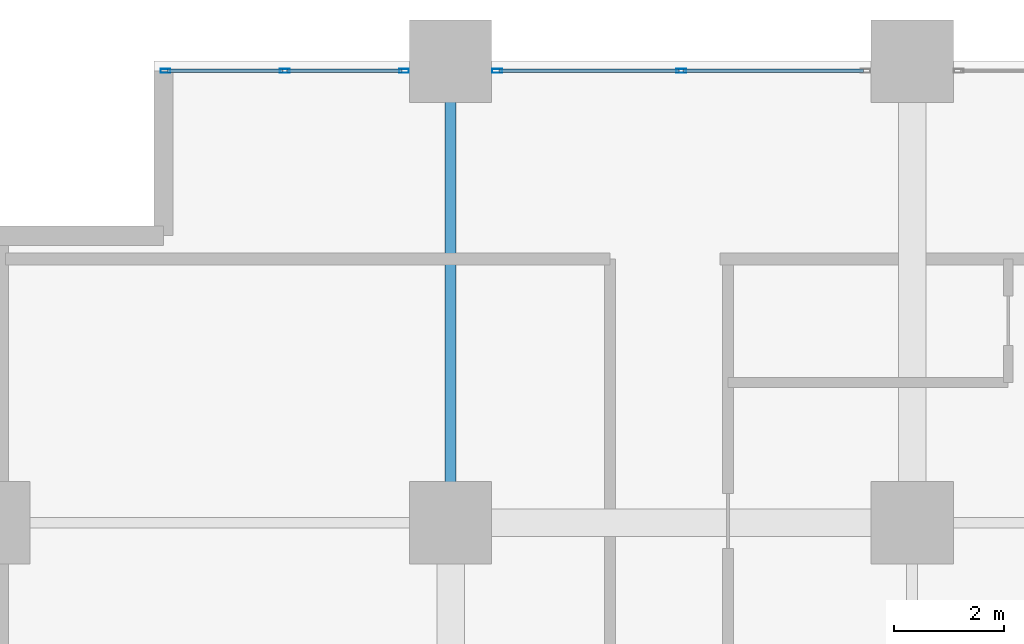
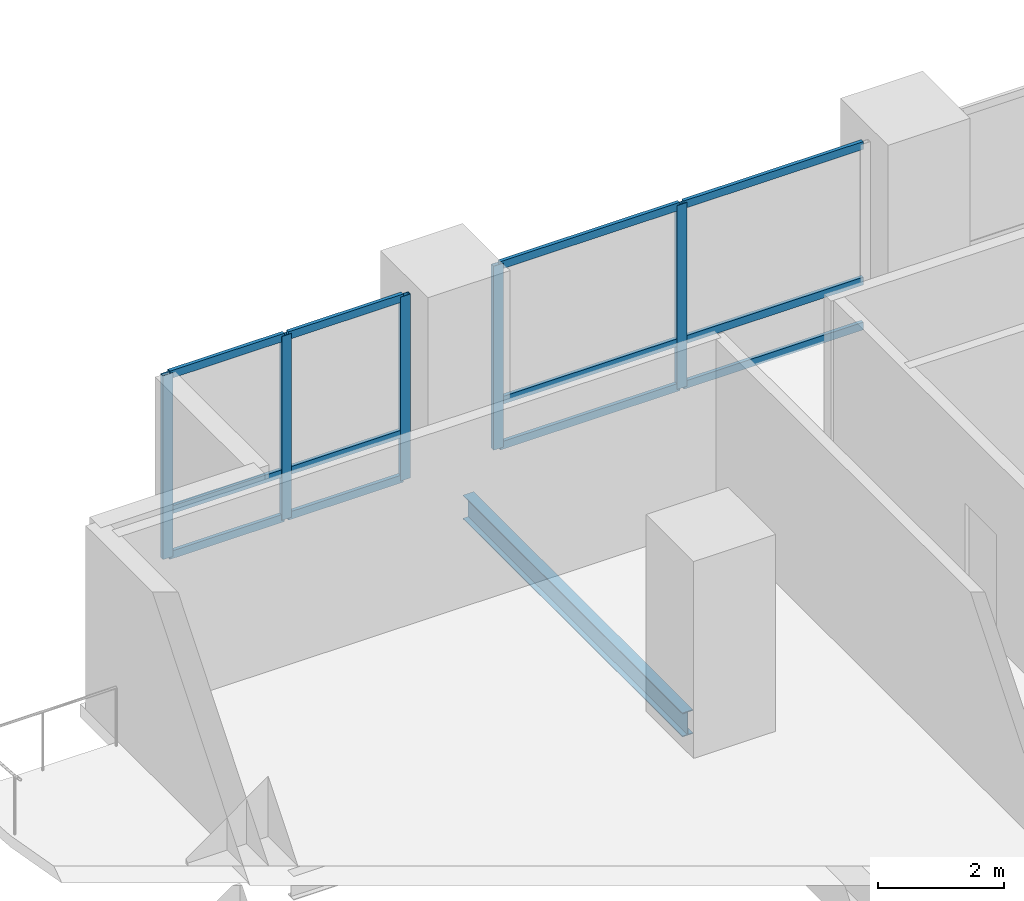
# One storey, part 3 of 21: 17 members, 1 beam, 2 elements without a shape of their own.
"""IFC4 building model written with IfcOpenShell, lengths in metres."""

from ifc_helpers import new_model, si_unit, direction, frame, origin, origin_2d, place, context, subcontext, project, spatial, hollow_rectangle, i_section, extrude, material, layer, layer_set, material_profile, profile_set, type_object, element, aggregate, save


model = new_model("IFC4")

# Units and contexts
model_context = context("Model", 3, precision=1e-05, world=origin(), true_north=direction((0.0, 1.0)))
body_context = subcontext(model_context, "Body", "Model", "MODEL_VIEW")
ifc_project = project(units=[si_unit("LENGTHUNIT", "METRE"), si_unit("AREAUNIT", "SQUARE_METRE"), si_unit("VOLUMEUNIT", "CUBIC_METRE"), si_unit("PLANEANGLEUNIT", "RADIAN"), si_unit("MASSUNIT", "GRAM", prefix="KILO")], contexts=[model_context])

# Site, building, storey
site_placement = place(None, origin())
site = spatial("IfcSite", under=ifc_project, at=site_placement, CompositionType="ELEMENT")
building_placement = place(site_placement, origin())
building = spatial("IfcBuilding", under=site, at=building_placement, Name="Koriwani Terraces Tower", CompositionType="ELEMENT")
storey_placement = place(building_placement, frame((0.0, 0.0, 77.60009765625)))
storey = spatial("IfcBuildingStorey", under=building, at=storey_placement, Name="L18", CompositionType="ELEMENT", Elevation=77.60009765625)

# Curtain wall, members
ifc_material_1 = material(Name="Anodised Bronze Aluminium", Category="aluminium")
ifc_layer = layer(ifc_material_1, 0.179931640625, Name="Anodised Bronze Aluminium")
ifc_layer_set = layer_set([ifc_layer], Name="Anodised Bronze Aluminium")
curtain_wall_type = type_object("IfcCurtainWallType", Name="CW_HOTEL_ZONE1", PredefinedType="NOTDEFINED", material=ifc_layer_set)
curtain_wall_1_placement = place(storey_placement, origin())
curtain_wall_1 = element("IfcCurtainWall", 1, at=curtain_wall_1_placement, inside=storey, type_object=curtain_wall_type, Name="L18 Unitised Curtain Wall (N_TIP) Bay 1", PredefinedType="NOTDEFINED")
ifc_material_profile_1 = material_profile(ifc_material_1, hollow_rectangle(XDim=0.074951171875, YDim=0.179931640625, WallThickness=0.006103515625, at=origin_2d()), Name="Anodised Bronze Aluminium", Category="LoadBearing")
ifc_profile_set_1 = profile_set([ifc_material_profile_1], Name="Anodised Bronze Aluminium")
member_type_1 = type_object("IfcMemberType", Name="CW_MULLION_180X75", PredefinedType="MULLION", material=ifc_profile_set_1)
member_1_placement = place(storey_placement, frame((3.21240234375, 92.22509765625, 0.0), z_axis=(0.0, 0.0, 1.0), x_axis=(0.0, 1.0, 0.0)))
member_1 = element("IfcMember", 2, at=member_1_placement, type_object=member_type_1, Name="CW-Z1 mullion 1", PredefinedType="MULLION", context=body_context, shape_type="SweptSolid", body=[
    extrude(hollow_rectangle(XDim=0.074951171875, YDim=0.179931640625, WallThickness=0.006103515625, at=origin_2d()), origin(), (0.0, 0.0, 1.0), 3.5498046875),
])
member_2_placement = place(storey_placement, frame((5.382568359375, 92.22509765625, 0.0), z_axis=(0.0, 0.0, 1.0), x_axis=(0.0, 1.0, 0.0)))
member_2 = element("IfcMember", 3, at=member_2_placement, type_object=member_type_1, Name="CW-Z1 mullion 2", PredefinedType="MULLION", context=body_context, shape_type="SweptSolid", body=[
    extrude(hollow_rectangle(XDim=0.074951171875, YDim=0.179931640625, WallThickness=0.006103515625, at=origin_2d()), origin(), (0.0, 0.0, 1.0), 3.5498046875),
])
member_3_placement = place(storey_placement, frame((7.552490234375, 92.22509765625, 0.0), z_axis=(0.0, 0.0, 1.0), x_axis=(0.0, 1.0, 0.0)))
member_3 = element("IfcMember", 4, at=member_3_placement, type_object=member_type_1, Name="CW-Z1 mullion 3", PredefinedType="MULLION", context=body_context, shape_type="SweptSolid", body=[
    extrude(hollow_rectangle(XDim=0.074951171875, YDim=0.179931640625, WallThickness=0.006103515625, at=origin_2d()), origin(), (0.0, 0.0, 1.0), 3.5498046875),
])

curtain_wall_2_placement = place(storey_placement, origin())
curtain_wall_2 = element("IfcCurtainWall", 5, at=curtain_wall_2_placement, inside=storey, type_object=curtain_wall_type, Name="L18 Unitised Curtain Wall (N_TIP) Bay 2", PredefinedType="NOTDEFINED")
member_4_placement = place(storey_placement, frame((9.24755859375, 92.22509765625, 0.0), z_axis=(0.0, 0.0, 1.0), x_axis=(0.0, 1.0, 0.0)))
member_4 = element("IfcMember", 6, at=member_4_placement, type_object=member_type_1, Name="CW-Z1 mullion 1", PredefinedType="MULLION", context=body_context, shape_type="SweptSolid", body=[
    extrude(hollow_rectangle(XDim=0.074951171875, YDim=0.179931640625, WallThickness=0.006103515625, at=origin_2d()), origin(), (0.0, 0.0, 1.0), 3.5498046875),
])
member_5_placement = place(storey_placement, frame((12.60009765625, 92.22509765625, 0.0), z_axis=(0.0, 0.0, 1.0), x_axis=(0.0, 1.0, 0.0)))
member_5 = element("IfcMember", 7, at=member_5_placement, type_object=member_type_1, Name="CW-Z1 mullion 2", PredefinedType="MULLION", context=body_context, shape_type="SweptSolid", body=[
    extrude(hollow_rectangle(XDim=0.074951171875, YDim=0.179931640625, WallThickness=0.006103515625, at=origin_2d()), origin(), (0.0, 0.0, 1.0), 3.5498046875),
])

# Member
ifc_material_profile_2 = material_profile(ifc_material_1, hollow_rectangle(XDim=0.06494140625, YDim=0.14990234375, WallThickness=0.0048828125, at=origin_2d()), Name="Anodised Bronze Aluminium", Category="LoadBearing")
ifc_profile_set_2 = profile_set([ifc_material_profile_2], Name="Anodised Bronze Aluminium")
member_type_2 = type_object("IfcMemberType", Name="CW_TRANSOM_150X65", PredefinedType="USERDEFINED", material=ifc_profile_set_2)
member_6_placement = place(storey_placement, frame((3.25, 92.22509765625, 0.032470703125), z_axis=(1.0, 0.0, 0.0), x_axis=(0.0, 1.0, 0.0)))
member_6 = element("IfcMember", 8, at=member_6_placement, type_object=member_type_2, Name="CW-Z1 transom 1.1", ObjectType="TRANSOM", PredefinedType="USERDEFINED", context=body_context, shape_type="SweptSolid", body=[
    extrude(hollow_rectangle(XDim=0.06494140625, YDim=0.14990234375, WallThickness=0.0048828125, at=origin_2d()), origin(), (0.0, 0.0, 1.0), 2.094970703125),
])

member_7_placement = place(storey_placement, frame((3.25, 92.22509765625, 0.89990234375), z_axis=(1.0, 0.0, 0.0), x_axis=(0.0, 1.0, 0.0)))
member_7 = element("IfcMember", 9, at=member_7_placement, type_object=member_type_2, Name="CW-Z1 transom 1.2", ObjectType="TRANSOM", PredefinedType="USERDEFINED", context=body_context, shape_type="SweptSolid", body=[
    extrude(hollow_rectangle(XDim=0.06494140625, YDim=0.14990234375, WallThickness=0.0048828125, at=origin_2d()), origin(), (0.0, 0.0, 1.0), 2.094970703125),
])

member_8_placement = place(storey_placement, frame((3.25, 92.22509765625, 3.517333984375), z_axis=(1.0, 0.0, 0.0), x_axis=(0.0, 1.0, 0.0)))
member_8 = element("IfcMember", 10, at=member_8_placement, type_object=member_type_2, Name="CW-Z1 transom 1.3", ObjectType="TRANSOM", PredefinedType="USERDEFINED", context=body_context, shape_type="SweptSolid", body=[
    extrude(hollow_rectangle(XDim=0.06494140625, YDim=0.14990234375, WallThickness=0.0048828125, at=origin_2d()), origin(), (0.0, 0.0, 1.0), 2.094970703125),
])

member_9_placement = place(storey_placement, frame((5.419921875, 92.22509765625, 0.032470703125), z_axis=(1.0, 0.0, 0.0), x_axis=(0.0, 1.0, 0.0)))
member_9 = element("IfcMember", 11, at=member_9_placement, type_object=member_type_2, Name="CW-Z1 transom 2.1", ObjectType="TRANSOM", PredefinedType="USERDEFINED", context=body_context, shape_type="SweptSolid", body=[
    extrude(hollow_rectangle(XDim=0.06494140625, YDim=0.14990234375, WallThickness=0.0048828125, at=origin_2d()), origin(), (0.0, 0.0, 1.0), 2.094970703125),
])

member_10_placement = place(storey_placement, frame((5.419921875, 92.22509765625, 0.89990234375), z_axis=(1.0, 0.0, 0.0), x_axis=(0.0, 1.0, 0.0)))
member_10 = element("IfcMember", 12, at=member_10_placement, type_object=member_type_2, Name="CW-Z1 transom 2.2", ObjectType="TRANSOM", PredefinedType="USERDEFINED", context=body_context, shape_type="SweptSolid", body=[
    extrude(hollow_rectangle(XDim=0.06494140625, YDim=0.14990234375, WallThickness=0.0048828125, at=origin_2d()), origin(), (0.0, 0.0, 1.0), 2.094970703125),
])

member_11_placement = place(storey_placement, frame((5.419921875, 92.22509765625, 3.517333984375), z_axis=(1.0, 0.0, 0.0), x_axis=(0.0, 1.0, 0.0)))
member_11 = element("IfcMember", 13, at=member_11_placement, type_object=member_type_2, Name="CW-Z1 transom 2.3", ObjectType="TRANSOM", PredefinedType="USERDEFINED", context=body_context, shape_type="SweptSolid", body=[
    extrude(hollow_rectangle(XDim=0.06494140625, YDim=0.14990234375, WallThickness=0.0048828125, at=origin_2d()), origin(), (0.0, 0.0, 1.0), 2.094970703125),
])

aggregate(curtain_wall_1, [member_1, member_2, member_3, member_6, member_7, member_8, member_9, member_10, member_11])

member_12_placement = place(storey_placement, frame((9.284912109375, 92.22509765625, 0.032470703125), z_axis=(1.0, 0.0, 0.0), x_axis=(0.0, 1.0, 0.0)))
member_12 = element("IfcMember", 14, at=member_12_placement, type_object=member_type_2, Name="CW-Z1 transom 1.1", ObjectType="TRANSOM", PredefinedType="USERDEFINED", context=body_context, shape_type="SweptSolid", body=[
    extrude(hollow_rectangle(XDim=0.06494140625, YDim=0.14990234375, WallThickness=0.0048828125, at=origin_2d()), origin(), (0.0, 0.0, 1.0), 3.277587890625),
])

member_13_placement = place(storey_placement, frame((9.284912109375, 92.22509765625, 0.89990234375), z_axis=(1.0, 0.0, 0.0), x_axis=(0.0, 1.0, 0.0)))
member_13 = element("IfcMember", 15, at=member_13_placement, type_object=member_type_2, Name="CW-Z1 transom 1.2", ObjectType="TRANSOM", PredefinedType="USERDEFINED", context=body_context, shape_type="SweptSolid", body=[
    extrude(hollow_rectangle(XDim=0.06494140625, YDim=0.14990234375, WallThickness=0.0048828125, at=origin_2d()), origin(), (0.0, 0.0, 1.0), 3.277587890625),
])

member_14_placement = place(storey_placement, frame((9.284912109375, 92.22509765625, 3.517333984375), z_axis=(1.0, 0.0, 0.0), x_axis=(0.0, 1.0, 0.0)))
member_14 = element("IfcMember", 16, at=member_14_placement, type_object=member_type_2, Name="CW-Z1 transom 1.3", ObjectType="TRANSOM", PredefinedType="USERDEFINED", context=body_context, shape_type="SweptSolid", body=[
    extrude(hollow_rectangle(XDim=0.06494140625, YDim=0.14990234375, WallThickness=0.0048828125, at=origin_2d()), origin(), (0.0, 0.0, 1.0), 3.277587890625),
])

member_15_placement = place(storey_placement, frame((12.637451171875, 92.22509765625, 0.032470703125), z_axis=(1.0, 0.0, 0.0), x_axis=(0.0, 1.0, 0.0)))
member_15 = element("IfcMember", 17, at=member_15_placement, type_object=member_type_2, Name="CW-Z1 transom 2.1", ObjectType="TRANSOM", PredefinedType="USERDEFINED", context=body_context, shape_type="SweptSolid", body=[
    extrude(hollow_rectangle(XDim=0.06494140625, YDim=0.14990234375, WallThickness=0.0048828125, at=origin_2d()), origin(), (0.0, 0.0, 1.0), 3.277587890625),
])

member_16_placement = place(storey_placement, frame((12.637451171875, 92.22509765625, 0.89990234375), z_axis=(1.0, 0.0, 0.0), x_axis=(0.0, 1.0, 0.0)))
member_16 = element("IfcMember", 18, at=member_16_placement, type_object=member_type_2, Name="CW-Z1 transom 2.2", ObjectType="TRANSOM", PredefinedType="USERDEFINED", context=body_context, shape_type="SweptSolid", body=[
    extrude(hollow_rectangle(XDim=0.06494140625, YDim=0.14990234375, WallThickness=0.0048828125, at=origin_2d()), origin(), (0.0, 0.0, 1.0), 3.277587890625),
])

member_17_placement = place(storey_placement, frame((12.637451171875, 92.22509765625, 3.517333984375), z_axis=(1.0, 0.0, 0.0), x_axis=(0.0, 1.0, 0.0)))
member_17 = element("IfcMember", 19, at=member_17_placement, type_object=member_type_2, Name="CW-Z1 transom 2.3", ObjectType="TRANSOM", PredefinedType="USERDEFINED", context=body_context, shape_type="SweptSolid", body=[
    extrude(hollow_rectangle(XDim=0.06494140625, YDim=0.14990234375, WallThickness=0.0048828125, at=origin_2d()), origin(), (0.0, 0.0, 1.0), 3.277587890625),
])

aggregate(curtain_wall_2, [member_4, member_5, member_12, member_13, member_14, member_15, member_16, member_17])

# Beam
ifc_material_2 = material(Name="Steel ASTM A572 Grade 50", Category="steel")
ifc_material_profile_3 = material_profile(ifc_material_2, i_section(OverallWidth=0.193115234375, OverallDepth=0.462890625, WebThickness=0.0107421875, FlangeThickness=0.017333984375, at=origin_2d()), Name="Steel ASTM A572 Grade 50", Category="LoadBearing")
ifc_profile_set_3 = profile_set([ifc_material_profile_3], Name="Steel ASTM A572 Grade 50")
beam_type = type_object("IfcBeamType", Name="STEEL_BEAM_W460X113", PredefinedType="BEAM", material=ifc_profile_set_3)
beam_placement = place(storey_placement, frame((8.39990234375, 84.72998046875, -0.481689453125), z_axis=(0.0, 1.0, 0.0), x_axis=(-1.0, 0.0, 0.0)))
element("IfcBeam", 20, at=beam_placement, inside=storey, type_object=beam_type, Name="L18 Grid Beam 2 (84.0-92.4m)", PredefinedType="BEAM", context=body_context, shape_type="SweptSolid", body=[
    extrude(i_section(OverallWidth=0.193115234375, OverallDepth=0.462890625, WebThickness=0.0107421875, FlangeThickness=0.017333984375, at=origin_2d()), origin(), (0.0, 0.0, 1.0), 6.93994140625),
])

save(model, "model.ifc")
